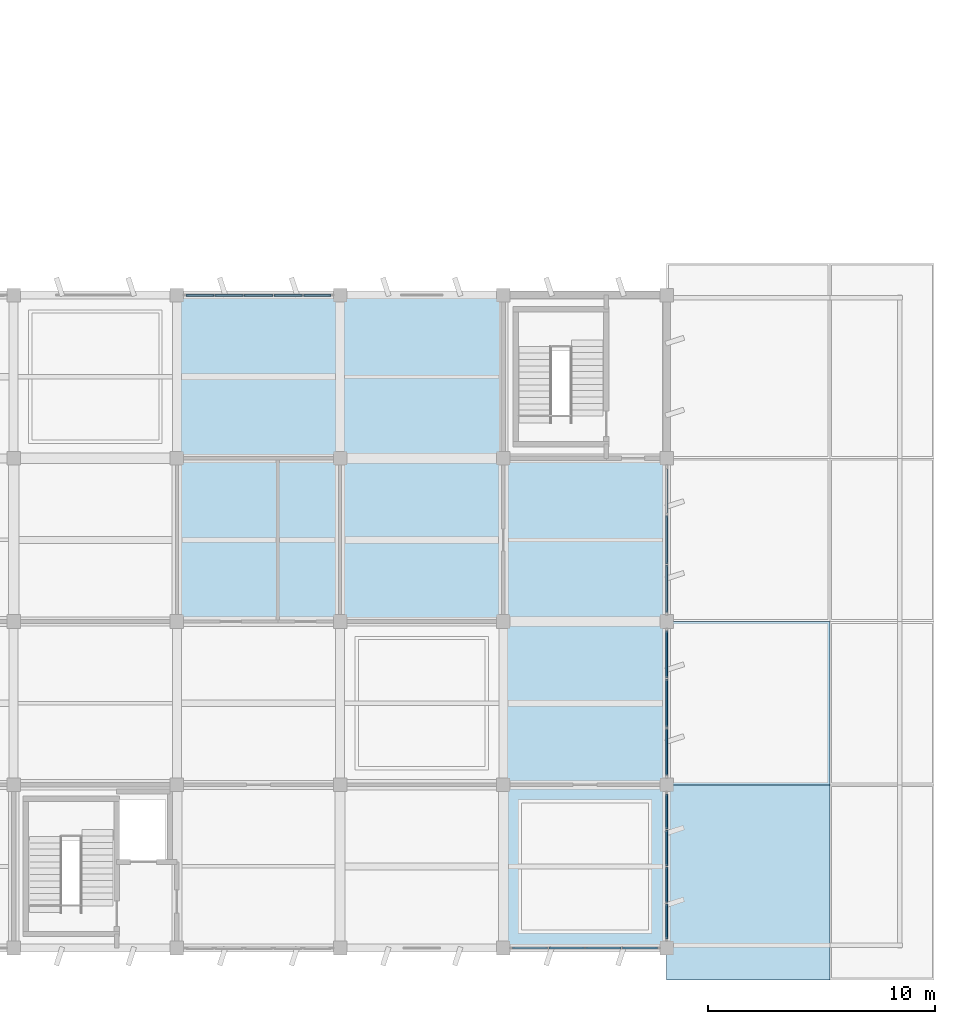
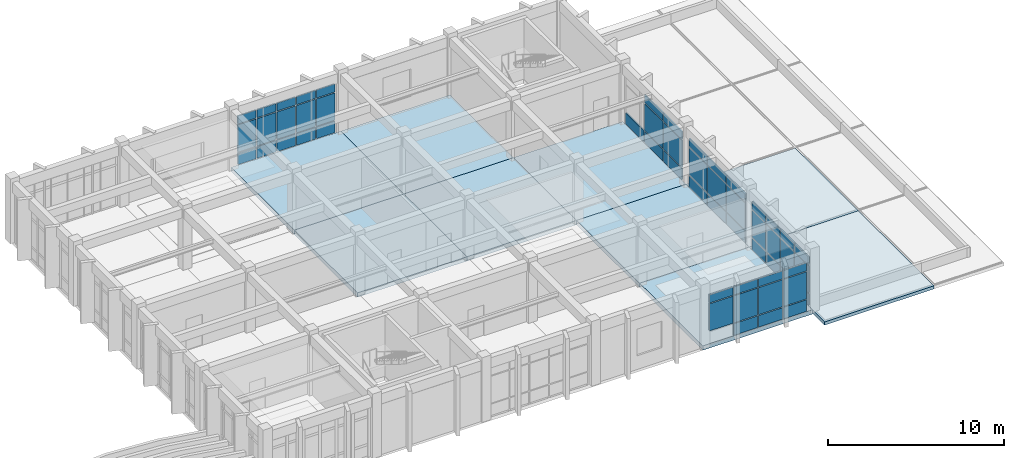
# One storey, part 50 of 81: 54 plates, 9 slabs, 5 elements without a shape of their own.
"""IFC4 building model written with IfcOpenShell, lengths in metres."""

from ifc_helpers import new_model, si_unit, direction, frame, origin, origin_2d, place, context, subcontext, project, spatial, polyline, rectangle, outline, extrude, material, layer, layer_set, type_object, element, aggregate, save


model = new_model("IFC4")

# Units and contexts
model_context = context("Model", 3, precision=1e-05, world=origin(), true_north=direction((0.0, 1.0)))
body_context = subcontext(model_context, "Body", "Model", "MODEL_VIEW")
ifc_project = project(units=[si_unit("LENGTHUNIT", "METRE"), si_unit("AREAUNIT", "SQUARE_METRE"), si_unit("VOLUMEUNIT", "CUBIC_METRE"), si_unit("PLANEANGLEUNIT", "RADIAN"), si_unit("MASSUNIT", "GRAM", prefix="KILO")], contexts=[model_context])

# Site, building, storey
site_placement = place(None, origin())
site = spatial("IfcSite", under=ifc_project, at=site_placement, CompositionType="ELEMENT")
building_placement = place(site_placement, origin())
building = spatial("IfcBuilding", under=site, at=building_placement, Name="Kavelor Marine Aquarium", CompositionType="ELEMENT")
storey_placement = place(building_placement, frame((0.0, 0.0, 4.679931640625)))
storey = spatial("IfcBuildingStorey", under=building, at=storey_placement, Name="L01", CompositionType="ELEMENT", Elevation=4.679931640625)

# Curtain wall, plates
ifc_material_1 = material(Name="Thermally Broken Aluminium and Low-E Glass", Category="aluminium")
ifc_layer_1 = layer(ifc_material_1, 0.26806640625)
ifc_layer_set_1 = layer_set([ifc_layer_1], Name="CW-SYS16")
curtain_wall_type_1 = type_object("IfcCurtainWallType", Name="CW-SYS16", PredefinedType="USERDEFINED", material=ifc_layer_set_1)
curtain_wall_1_placement = place(storey_placement, origin())
curtain_wall_1 = element("IfcCurtainWall", 1, at=curtain_wall_1_placement, inside=storey, type_object=curtain_wall_type_1, Name="cw:y:L01:21_00", ObjectType="Curtain Wall", PredefinedType="USERDEFINED")
ifc_material_2 = material(Name="Solar-Control Double Low-E Glazing", Category="glass")
ifc_layer_2 = layer(ifc_material_2, 0.080078125)
ifc_layer_set_2 = layer_set([ifc_layer_2], Name="CWP-28")
plate_type_1 = type_object("IfcPlateType", Name="CWP-28", PredefinedType="CURTAIN_PANEL", material=ifc_layer_set_2)
plate_1_placement = place(storey_placement, frame((154.39990234375, 3.9775390625, 0.06005859375), z_axis=(0.0, 0.0, 1.0), x_axis=(0.0, 1.0, 0.0)))
plate_1 = element("IfcPlate", 2, at=plate_1_placement, type_object=plate_type_1, Name="CW16 panel 1.1", PredefinedType="CURTAIN_PANEL", context=body_context, shape_type="SweptSolid", body=[
    extrude(rectangle(XDim=1.514892578125, YDim=0.080078125, at=origin_2d()), origin(), (0.0, 0.0, 1.0), 0.81005859375),
])
plate_2_placement = place(storey_placement, frame((154.39990234375, 3.9775390625, 0.93017578125), z_axis=(0.0, 0.0, 1.0), x_axis=(0.0, 1.0, 0.0)))
plate_2 = element("IfcPlate", 3, at=plate_2_placement, type_object=plate_type_1, Name="CW16 panel 1.2", PredefinedType="CURTAIN_PANEL", context=body_context, shape_type="SweptSolid", body=[
    extrude(rectangle(XDim=1.514892578125, YDim=0.080078125, at=origin_2d()), origin(), (0.0, 0.0, 1.0), 1.8798828125),
])
plate_3_placement = place(storey_placement, frame((154.39990234375, 3.9775390625, 2.8701171875), z_axis=(0.0, 0.0, 1.0), x_axis=(0.0, 1.0, 0.0)))
plate_3 = element("IfcPlate", 4, at=plate_3_placement, type_object=plate_type_1, Name="CW16 panel 1.3", PredefinedType="CURTAIN_PANEL", context=body_context, shape_type="SweptSolid", body=[
    extrude(rectangle(XDim=1.514892578125, YDim=0.080078125, at=origin_2d()), origin(), (0.0, 0.0, 1.0), 0.56005859375),
])
plate_4_placement = place(storey_placement, frame((154.39990234375, 5.586181640625, 0.06005859375), z_axis=(0.0, 0.0, 1.0), x_axis=(0.0, 1.0, 0.0)))
plate_4 = element("IfcPlate", 5, at=plate_4_placement, type_object=plate_type_1, Name="CW16 panel 2.1", PredefinedType="CURTAIN_PANEL", context=body_context, shape_type="SweptSolid", body=[
    extrude(rectangle(XDim=1.552490234375, YDim=0.080078125, at=origin_2d()), origin(), (0.0, 0.0, 1.0), 0.81005859375),
])
plate_5_placement = place(storey_placement, frame((154.39990234375, 5.586181640625, 0.93017578125), z_axis=(0.0, 0.0, 1.0), x_axis=(0.0, 1.0, 0.0)))
plate_5 = element("IfcPlate", 6, at=plate_5_placement, type_object=plate_type_1, Name="CW16 panel 2.2", PredefinedType="CURTAIN_PANEL", context=body_context, shape_type="SweptSolid", body=[
    extrude(rectangle(XDim=1.552490234375, YDim=0.080078125, at=origin_2d()), origin(), (0.0, 0.0, 1.0), 1.8798828125),
])
plate_6_placement = place(storey_placement, frame((154.39990234375, 5.586181640625, 2.8701171875), z_axis=(0.0, 0.0, 1.0), x_axis=(0.0, 1.0, 0.0)))
plate_6 = element("IfcPlate", 7, at=plate_6_placement, type_object=plate_type_1, Name="CW16 panel 2.3", PredefinedType="CURTAIN_PANEL", context=body_context, shape_type="SweptSolid", body=[
    extrude(rectangle(XDim=1.552490234375, YDim=0.080078125, at=origin_2d()), origin(), (0.0, 0.0, 1.0), 0.56005859375),
])
plate_7_placement = place(storey_placement, frame((154.39990234375, 7.2138671875, 0.06005859375), z_axis=(0.0, 0.0, 1.0), x_axis=(0.0, 1.0, 0.0)))
plate_7 = element("IfcPlate", 8, at=plate_7_placement, type_object=plate_type_1, Name="CW16 panel 3.1", PredefinedType="CURTAIN_PANEL", context=body_context, shape_type="SweptSolid", body=[
    extrude(rectangle(XDim=1.552490234375, YDim=0.080078125, at=origin_2d()), origin(), (0.0, 0.0, 1.0), 0.81005859375),
])
plate_8_placement = place(storey_placement, frame((154.39990234375, 7.2138671875, 0.93017578125), z_axis=(0.0, 0.0, 1.0), x_axis=(0.0, 1.0, 0.0)))
plate_8 = element("IfcPlate", 9, at=plate_8_placement, type_object=plate_type_1, Name="CW16 panel 3.2", PredefinedType="CURTAIN_PANEL", context=body_context, shape_type="SweptSolid", body=[
    extrude(rectangle(XDim=1.552490234375, YDim=0.080078125, at=origin_2d()), origin(), (0.0, 0.0, 1.0), 1.8798828125),
])
plate_9_placement = place(storey_placement, frame((154.39990234375, 7.2138671875, 2.8701171875), z_axis=(0.0, 0.0, 1.0), x_axis=(0.0, 1.0, 0.0)))
plate_9 = element("IfcPlate", 10, at=plate_9_placement, type_object=plate_type_1, Name="CW16 panel 3.3", PredefinedType="CURTAIN_PANEL", context=body_context, shape_type="SweptSolid", body=[
    extrude(rectangle(XDim=1.552490234375, YDim=0.080078125, at=origin_2d()), origin(), (0.0, 0.0, 1.0), 0.56005859375),
])
plate_10_placement = place(storey_placement, frame((154.39990234375, 8.822509765625, 0.06005859375), z_axis=(0.0, 0.0, 1.0), x_axis=(0.0, 1.0, 0.0)))
plate_10 = element("IfcPlate", 11, at=plate_10_placement, type_object=plate_type_1, Name="CW16 panel 4.1", PredefinedType="CURTAIN_PANEL", context=body_context, shape_type="SweptSolid", body=[
    extrude(rectangle(XDim=1.514892578125, YDim=0.080078125, at=origin_2d()), origin(), (0.0, 0.0, 1.0), 0.81005859375),
])
plate_11_placement = place(storey_placement, frame((154.39990234375, 8.822509765625, 0.93017578125), z_axis=(0.0, 0.0, 1.0), x_axis=(0.0, 1.0, 0.0)))
plate_11 = element("IfcPlate", 12, at=plate_11_placement, type_object=plate_type_1, Name="CW16 panel 4.2", PredefinedType="CURTAIN_PANEL", context=body_context, shape_type="SweptSolid", body=[
    extrude(rectangle(XDim=1.514892578125, YDim=0.080078125, at=origin_2d()), origin(), (0.0, 0.0, 1.0), 1.8798828125),
])
plate_12_placement = place(storey_placement, frame((154.39990234375, 8.822509765625, 2.8701171875), z_axis=(0.0, 0.0, 1.0), x_axis=(0.0, 1.0, 0.0)))
plate_12 = element("IfcPlate", 13, at=plate_12_placement, type_object=plate_type_1, Name="CW16 panel 4.3", PredefinedType="CURTAIN_PANEL", context=body_context, shape_type="SweptSolid", body=[
    extrude(rectangle(XDim=1.514892578125, YDim=0.080078125, at=origin_2d()), origin(), (0.0, 0.0, 1.0), 0.56005859375),
])
aggregate(curtain_wall_1, [plate_1, plate_2, plate_3, plate_4, plate_5, plate_6, plate_7, plate_8, plate_9, plate_10, plate_11, plate_12])

ifc_material_3 = material(Name="Thermally Broken Aluminium and Low-E Glass", Category="aluminium")
ifc_layer_3 = layer(ifc_material_3, 0.27587890625)
ifc_layer_set_3 = layer_set([ifc_layer_3], Name="CW-SYS17")
curtain_wall_type_2 = type_object("IfcCurtainWallType", Name="CW-SYS17", PredefinedType="USERDEFINED", material=ifc_layer_set_3)
curtain_wall_2_placement = place(storey_placement, origin())
curtain_wall_2 = element("IfcCurtainWall", 14, at=curtain_wall_2_placement, inside=storey, type_object=curtain_wall_type_2, Name="cw:y:L01:21_01", ObjectType="Curtain Wall", PredefinedType="USERDEFINED")
ifc_material_4 = material(Name="Solar-Control Double Low-E Glazing", Category="glass")
ifc_layer_4 = layer(ifc_material_4, 0.08203125)
ifc_layer_set_4 = layer_set([ifc_layer_4], Name="CWP-29")
plate_type_2 = type_object("IfcPlateType", Name="CWP-29", PredefinedType="CURTAIN_PANEL", material=ifc_layer_set_4)
plate_13_placement = place(storey_placement, frame((154.39990234375, 11.4462890625, 0.06005859375), z_axis=(0.0, 0.0, 1.0), x_axis=(0.0, 1.0, 0.0)))
plate_13 = element("IfcPlate", 15, at=plate_13_placement, type_object=plate_type_2, Name="CW17 panel 1.1", PredefinedType="CURTAIN_PANEL", context=body_context, shape_type="SweptSolid", body=[
    extrude(rectangle(XDim=2.072509765625, YDim=0.08203125, at=origin_2d()), origin(), (0.0, 0.0, 1.0), 0.81005859375),
])
plate_14_placement = place(storey_placement, frame((154.39990234375, 11.4462890625, 0.93017578125), z_axis=(0.0, 0.0, 1.0), x_axis=(0.0, 1.0, 0.0)))
plate_14 = element("IfcPlate", 16, at=plate_14_placement, type_object=plate_type_2, Name="CW17 panel 1.2", PredefinedType="CURTAIN_PANEL", context=body_context, shape_type="SweptSolid", body=[
    extrude(rectangle(XDim=2.072509765625, YDim=0.08203125, at=origin_2d()), origin(), (0.0, 0.0, 1.0), 1.89990234375),
])
plate_15_placement = place(storey_placement, frame((154.39990234375, 11.4462890625, 2.89013671875), z_axis=(0.0, 0.0, 1.0), x_axis=(0.0, 1.0, 0.0)))
plate_15 = element("IfcPlate", 17, at=plate_15_placement, type_object=plate_type_2, Name="CW17 panel 1.3", PredefinedType="CURTAIN_PANEL", context=body_context, shape_type="SweptSolid", body=[
    extrude(rectangle(XDim=2.072509765625, YDim=0.08203125, at=origin_2d()), origin(), (0.0, 0.0, 1.0), 0.56005859375),
])
plate_16_placement = place(storey_placement, frame((154.39990234375, 13.60009765625, 0.06005859375), z_axis=(0.0, 0.0, 1.0), x_axis=(0.0, 1.0, 0.0)))
plate_16 = element("IfcPlate", 18, at=plate_16_placement, type_object=plate_type_2, Name="CW17 panel 2.1", PredefinedType="CURTAIN_PANEL", context=body_context, shape_type="SweptSolid", body=[
    extrude(rectangle(XDim=2.10498046875, YDim=0.08203125, at=origin_2d()), origin(), (0.0, 0.0, 1.0), 0.81005859375),
])
plate_17_placement = place(storey_placement, frame((154.39990234375, 13.60009765625, 0.93017578125), z_axis=(0.0, 0.0, 1.0), x_axis=(0.0, 1.0, 0.0)))
plate_17 = element("IfcPlate", 19, at=plate_17_placement, type_object=plate_type_2, Name="CW17 panel 2.2", PredefinedType="CURTAIN_PANEL", context=body_context, shape_type="SweptSolid", body=[
    extrude(rectangle(XDim=2.10498046875, YDim=0.08203125, at=origin_2d()), origin(), (0.0, 0.0, 1.0), 1.89990234375),
])
plate_18_placement = place(storey_placement, frame((154.39990234375, 13.60009765625, 2.89013671875), z_axis=(0.0, 0.0, 1.0), x_axis=(0.0, 1.0, 0.0)))
plate_18 = element("IfcPlate", 20, at=plate_18_placement, type_object=plate_type_2, Name="CW17 panel 2.3", PredefinedType="CURTAIN_PANEL", context=body_context, shape_type="SweptSolid", body=[
    extrude(rectangle(XDim=2.10498046875, YDim=0.08203125, at=origin_2d()), origin(), (0.0, 0.0, 1.0), 0.56005859375),
])
plate_19_placement = place(storey_placement, frame((154.39990234375, 15.753662109375, 0.06005859375), z_axis=(0.0, 0.0, 1.0), x_axis=(0.0, 1.0, 0.0)))
plate_19 = element("IfcPlate", 21, at=plate_19_placement, type_object=plate_type_2, Name="CW17 panel 3.1", PredefinedType="CURTAIN_PANEL", context=body_context, shape_type="SweptSolid", body=[
    extrude(rectangle(XDim=2.072509765625, YDim=0.08203125, at=origin_2d()), origin(), (0.0, 0.0, 1.0), 0.81005859375),
])
plate_20_placement = place(storey_placement, frame((154.39990234375, 15.753662109375, 0.93017578125), z_axis=(0.0, 0.0, 1.0), x_axis=(0.0, 1.0, 0.0)))
plate_20 = element("IfcPlate", 22, at=plate_20_placement, type_object=plate_type_2, Name="CW17 panel 3.2", PredefinedType="CURTAIN_PANEL", context=body_context, shape_type="SweptSolid", body=[
    extrude(rectangle(XDim=2.072509765625, YDim=0.08203125, at=origin_2d()), origin(), (0.0, 0.0, 1.0), 1.89990234375),
])
plate_21_placement = place(storey_placement, frame((154.39990234375, 15.753662109375, 2.89013671875), z_axis=(0.0, 0.0, 1.0), x_axis=(0.0, 1.0, 0.0)))
plate_21 = element("IfcPlate", 23, at=plate_21_placement, type_object=plate_type_2, Name="CW17 panel 3.3", PredefinedType="CURTAIN_PANEL", context=body_context, shape_type="SweptSolid", body=[
    extrude(rectangle(XDim=2.072509765625, YDim=0.08203125, at=origin_2d()), origin(), (0.0, 0.0, 1.0), 0.56005859375),
])
aggregate(curtain_wall_2, [plate_13, plate_14, plate_15, plate_16, plate_17, plate_18, plate_19, plate_20, plate_21])

ifc_material_5 = material(Name="Thermally Broken Aluminium and Low-E Glass", Category="aluminium")
ifc_layer_5 = layer(ifc_material_5, 0.283935546875)
ifc_layer_set_5 = layer_set([ifc_layer_5], Name="CW-SYS18")
curtain_wall_type_3 = type_object("IfcCurtainWallType", Name="CW-SYS18", PredefinedType="USERDEFINED", material=ifc_layer_set_5)
curtain_wall_3_placement = place(storey_placement, origin())
curtain_wall_3 = element("IfcCurtainWall", 24, at=curtain_wall_3_placement, inside=storey, type_object=curtain_wall_type_3, Name="cw:y:L01:21_02", ObjectType="Curtain Wall", PredefinedType="USERDEFINED")
ifc_material_6 = material(Name="Solar-Control Double Low-E Glazing", Category="glass")
ifc_layer_6 = layer(ifc_material_6, 0.083984375)
ifc_layer_set_6 = layer_set([ifc_layer_6], Name="CWP-30")
plate_type_3 = type_object("IfcPlateType", Name="CWP-30", PredefinedType="CURTAIN_PANEL", material=ifc_layer_set_6)
plate_22_placement = place(storey_placement, frame((154.39990234375, 18.64501953125, 0.074951171875), z_axis=(0.0, 0.0, 1.0), x_axis=(0.0, 1.0, 0.0)))
plate_22 = element("IfcPlate", 25, at=plate_22_placement, type_object=plate_type_3, Name="CW18 panel 1.1", PredefinedType="CURTAIN_PANEL", context=body_context, shape_type="SweptSolid", body=[
    extrude(rectangle(XDim=2.080078125, YDim=0.083984375, at=origin_2d()), origin(), (0.0, 0.0, 1.0), 0.78759765625),
])
plate_23_placement = place(storey_placement, frame((154.39990234375, 18.64501953125, 0.9375), z_axis=(0.0, 0.0, 1.0), x_axis=(0.0, 1.0, 0.0)))
plate_23 = element("IfcPlate", 26, at=plate_23_placement, type_object=plate_type_3, Name="CW18 panel 1.2", PredefinedType="CURTAIN_PANEL", context=body_context, shape_type="SweptSolid", body=[
    extrude(rectangle(XDim=2.080078125, YDim=0.083984375, at=origin_2d()), origin(), (0.0, 0.0, 1.0), 1.864990234375),
])
plate_24_placement = place(storey_placement, frame((154.39990234375, 18.64501953125, 2.87744140625), z_axis=(0.0, 0.0, 1.0), x_axis=(0.0, 1.0, 0.0)))
plate_24 = element("IfcPlate", 27, at=plate_24_placement, type_object=plate_type_3, Name="CW18 panel 1.3", PredefinedType="CURTAIN_PANEL", context=body_context, shape_type="SweptSolid", body=[
    extrude(rectangle(XDim=2.080078125, YDim=0.083984375, at=origin_2d()), origin(), (0.0, 0.0, 1.0), 0.53759765625),
])
plate_25_placement = place(storey_placement, frame((154.39990234375, 20.800048828125, 0.074951171875), z_axis=(0.0, 0.0, 1.0), x_axis=(0.0, 1.0, 0.0)))
plate_25 = element("IfcPlate", 28, at=plate_25_placement, type_object=plate_type_3, Name="CW18 panel 2.1", PredefinedType="CURTAIN_PANEL", context=body_context, shape_type="SweptSolid", body=[
    extrude(rectangle(XDim=2.110107421875, YDim=0.083984375, at=origin_2d()), origin(), (0.0, 0.0, 1.0), 0.78759765625),
])
plate_26_placement = place(storey_placement, frame((154.39990234375, 20.800048828125, 0.9375), z_axis=(0.0, 0.0, 1.0), x_axis=(0.0, 1.0, 0.0)))
plate_26 = element("IfcPlate", 29, at=plate_26_placement, type_object=plate_type_3, Name="CW18 panel 2.2", PredefinedType="CURTAIN_PANEL", context=body_context, shape_type="SweptSolid", body=[
    extrude(rectangle(XDim=2.110107421875, YDim=0.083984375, at=origin_2d()), origin(), (0.0, 0.0, 1.0), 1.864990234375),
])
plate_27_placement = place(storey_placement, frame((154.39990234375, 20.800048828125, 2.87744140625), z_axis=(0.0, 0.0, 1.0), x_axis=(0.0, 1.0, 0.0)))
plate_27 = element("IfcPlate", 30, at=plate_27_placement, type_object=plate_type_3, Name="CW18 panel 2.3", PredefinedType="CURTAIN_PANEL", context=body_context, shape_type="SweptSolid", body=[
    extrude(rectangle(XDim=2.110107421875, YDim=0.083984375, at=origin_2d()), origin(), (0.0, 0.0, 1.0), 0.53759765625),
])
plate_28_placement = place(storey_placement, frame((154.39990234375, 22.955078125, 0.074951171875), z_axis=(0.0, 0.0, 1.0), x_axis=(0.0, 1.0, 0.0)))
plate_28 = element("IfcPlate", 31, at=plate_28_placement, type_object=plate_type_3, Name="CW18 panel 3.1", PredefinedType="CURTAIN_PANEL", context=body_context, shape_type="SweptSolid", body=[
    extrude(rectangle(XDim=2.080078125, YDim=0.083984375, at=origin_2d()), origin(), (0.0, 0.0, 1.0), 0.78759765625),
])
aggregate(curtain_wall_3, [plate_22, plate_23, plate_24, plate_25, plate_26, plate_27, plate_28])

ifc_material_7 = material(Name="Thermally Broken Aluminium and Low-E Glass", Category="aluminium")
ifc_layer_7 = layer(ifc_material_7, 0.2041015625)
ifc_layer_set_7 = layer_set([ifc_layer_7], Name="CW-SYS8")
curtain_wall_type_4 = type_object("IfcCurtainWallType", Name="CW-SYS8", PredefinedType="USERDEFINED", material=ifc_layer_set_7)
curtain_wall_4_placement = place(storey_placement, origin())
curtain_wall_4 = element("IfcCurtainWall", 32, at=curtain_wall_4_placement, inside=storey, type_object=curtain_wall_type_4, Name="cw:x:L01:18_04", ObjectType="Curtain Wall", PredefinedType="USERDEFINED")
ifc_material_8 = material(Name="Laminated Cast Acrylic Viewing Glazing", Category="glass")
ifc_layer_8 = layer(ifc_material_8, 0.087890625)
ifc_layer_set_8 = layer_set([ifc_layer_8], Name="CWP-32")
plate_type_4 = type_object("IfcPlateType", Name="CWP-32", PredefinedType="CURTAIN_PANEL", material=ifc_layer_set_8)
plate_29_placement = place(storey_placement, frame((133.812255859375, 31.60009765625, 0.06494140625), z_axis=(0.0, 0.0, 1.0), x_axis=(1.0, 0.0, 0.0)))
plate_29 = element("IfcPlate", 33, at=plate_29_placement, type_object=plate_type_4, Name="CW08 panel 1.1", PredefinedType="CURTAIN_PANEL", context=body_context, shape_type="SweptSolid", body=[
    extrude(rectangle(XDim=1.20458984375, YDim=0.087890625, at=origin_2d()), origin(), (0.0, 0.0, 1.0), 0.802490234375),
])
plate_30_placement = place(storey_placement, frame((133.812255859375, 31.60009765625, 0.9326171875), z_axis=(0.0, 0.0, 1.0), x_axis=(1.0, 0.0, 0.0)))
plate_30 = element("IfcPlate", 34, at=plate_30_placement, type_object=plate_type_4, Name="CW08 panel 1.2", PredefinedType="CURTAIN_PANEL", context=body_context, shape_type="SweptSolid", body=[
    extrude(rectangle(XDim=1.20458984375, YDim=0.087890625, at=origin_2d()), origin(), (0.0, 0.0, 1.0), 1.89501953125),
])
plate_31_placement = place(storey_placement, frame((133.812255859375, 31.60009765625, 2.892578125), z_axis=(0.0, 0.0, 1.0), x_axis=(1.0, 0.0, 0.0)))
plate_31 = element("IfcPlate", 35, at=plate_31_placement, type_object=plate_type_4, Name="CW08 panel 1.3", PredefinedType="CURTAIN_PANEL", context=body_context, shape_type="SweptSolid", body=[
    extrude(rectangle(XDim=1.20458984375, YDim=0.087890625, at=origin_2d()), origin(), (0.0, 0.0, 1.0), 0.552490234375),
])
plate_32_placement = place(storey_placement, frame((135.097900390625, 31.60009765625, 0.06494140625), z_axis=(0.0, 0.0, 1.0), x_axis=(1.0, 0.0, 0.0)))
plate_32 = element("IfcPlate", 36, at=plate_32_placement, type_object=plate_type_4, Name="CW08 panel 2.1", PredefinedType="CURTAIN_PANEL", context=body_context, shape_type="SweptSolid", body=[
    extrude(rectangle(XDim=1.237060546875, YDim=0.087890625, at=origin_2d()), origin(), (0.0, 0.0, 1.0), 0.802490234375),
])
plate_33_placement = place(storey_placement, frame((135.097900390625, 31.60009765625, 0.9326171875), z_axis=(0.0, 0.0, 1.0), x_axis=(1.0, 0.0, 0.0)))
plate_33 = element("IfcPlate", 37, at=plate_33_placement, type_object=plate_type_4, Name="CW08 panel 2.2", PredefinedType="CURTAIN_PANEL", context=body_context, shape_type="SweptSolid", body=[
    extrude(rectangle(XDim=1.237060546875, YDim=0.087890625, at=origin_2d()), origin(), (0.0, 0.0, 1.0), 1.89501953125),
])
plate_34_placement = place(storey_placement, frame((135.097900390625, 31.60009765625, 2.892578125), z_axis=(0.0, 0.0, 1.0), x_axis=(1.0, 0.0, 0.0)))
plate_34 = element("IfcPlate", 38, at=plate_34_placement, type_object=plate_type_4, Name="CW08 panel 2.3", PredefinedType="CURTAIN_PANEL", context=body_context, shape_type="SweptSolid", body=[
    extrude(rectangle(XDim=1.237060546875, YDim=0.087890625, at=origin_2d()), origin(), (0.0, 0.0, 1.0), 0.552490234375),
])
plate_35_placement = place(storey_placement, frame((136.39990234375, 31.60009765625, 0.06494140625), z_axis=(0.0, 0.0, 1.0), x_axis=(1.0, 0.0, 0.0)))
plate_35 = element("IfcPlate", 39, at=plate_35_placement, type_object=plate_type_4, Name="CW08 panel 3.1", PredefinedType="CURTAIN_PANEL", context=body_context, shape_type="SweptSolid", body=[
    extrude(rectangle(XDim=1.237060546875, YDim=0.087890625, at=origin_2d()), origin(), (0.0, 0.0, 1.0), 0.802490234375),
])
plate_36_placement = place(storey_placement, frame((136.39990234375, 31.60009765625, 0.9326171875), z_axis=(0.0, 0.0, 1.0), x_axis=(1.0, 0.0, 0.0)))
plate_36 = element("IfcPlate", 40, at=plate_36_placement, type_object=plate_type_4, Name="CW08 panel 3.2", PredefinedType="CURTAIN_PANEL", context=body_context, shape_type="SweptSolid", body=[
    extrude(rectangle(XDim=1.237060546875, YDim=0.087890625, at=origin_2d()), origin(), (0.0, 0.0, 1.0), 1.89501953125),
])
plate_37_placement = place(storey_placement, frame((136.39990234375, 31.60009765625, 2.892578125), z_axis=(0.0, 0.0, 1.0), x_axis=(1.0, 0.0, 0.0)))
plate_37 = element("IfcPlate", 41, at=plate_37_placement, type_object=plate_type_4, Name="CW08 panel 3.3", PredefinedType="CURTAIN_PANEL", context=body_context, shape_type="SweptSolid", body=[
    extrude(rectangle(XDim=1.237060546875, YDim=0.087890625, at=origin_2d()), origin(), (0.0, 0.0, 1.0), 0.552490234375),
])
plate_38_placement = place(storey_placement, frame((137.701904296875, 31.60009765625, 0.06494140625), z_axis=(0.0, 0.0, 1.0), x_axis=(1.0, 0.0, 0.0)))
plate_38 = element("IfcPlate", 42, at=plate_38_placement, type_object=plate_type_4, Name="CW08 panel 4.1", PredefinedType="CURTAIN_PANEL", context=body_context, shape_type="SweptSolid", body=[
    extrude(rectangle(XDim=1.237060546875, YDim=0.087890625, at=origin_2d()), origin(), (0.0, 0.0, 1.0), 0.802490234375),
])
plate_39_placement = place(storey_placement, frame((137.701904296875, 31.60009765625, 0.9326171875), z_axis=(0.0, 0.0, 1.0), x_axis=(1.0, 0.0, 0.0)))
plate_39 = element("IfcPlate", 43, at=plate_39_placement, type_object=plate_type_4, Name="CW08 panel 4.2", PredefinedType="CURTAIN_PANEL", context=body_context, shape_type="SweptSolid", body=[
    extrude(rectangle(XDim=1.237060546875, YDim=0.087890625, at=origin_2d()), origin(), (0.0, 0.0, 1.0), 1.89501953125),
])
plate_40_placement = place(storey_placement, frame((137.701904296875, 31.60009765625, 2.892578125), z_axis=(0.0, 0.0, 1.0), x_axis=(1.0, 0.0, 0.0)))
plate_40 = element("IfcPlate", 44, at=plate_40_placement, type_object=plate_type_4, Name="CW08 panel 4.3", PredefinedType="CURTAIN_PANEL", context=body_context, shape_type="SweptSolid", body=[
    extrude(rectangle(XDim=1.237060546875, YDim=0.087890625, at=origin_2d()), origin(), (0.0, 0.0, 1.0), 0.552490234375),
])
plate_41_placement = place(storey_placement, frame((138.98779296875, 31.60009765625, 0.06494140625), z_axis=(0.0, 0.0, 1.0), x_axis=(1.0, 0.0, 0.0)))
plate_41 = element("IfcPlate", 45, at=plate_41_placement, type_object=plate_type_4, Name="CW08 panel 5.1", PredefinedType="CURTAIN_PANEL", context=body_context, shape_type="SweptSolid", body=[
    extrude(rectangle(XDim=1.20458984375, YDim=0.087890625, at=origin_2d()), origin(), (0.0, 0.0, 1.0), 0.802490234375),
])
plate_42_placement = place(storey_placement, frame((138.98779296875, 31.60009765625, 0.9326171875), z_axis=(0.0, 0.0, 1.0), x_axis=(1.0, 0.0, 0.0)))
plate_42 = element("IfcPlate", 46, at=plate_42_placement, type_object=plate_type_4, Name="CW08 panel 5.2", PredefinedType="CURTAIN_PANEL", context=body_context, shape_type="SweptSolid", body=[
    extrude(rectangle(XDim=1.20458984375, YDim=0.087890625, at=origin_2d()), origin(), (0.0, 0.0, 1.0), 1.89501953125),
])
plate_43_placement = place(storey_placement, frame((138.98779296875, 31.60009765625, 2.892578125), z_axis=(0.0, 0.0, 1.0), x_axis=(1.0, 0.0, 0.0)))
plate_43 = element("IfcPlate", 47, at=plate_43_placement, type_object=plate_type_4, Name="CW08 panel 5.3", PredefinedType="CURTAIN_PANEL", context=body_context, shape_type="SweptSolid", body=[
    extrude(rectangle(XDim=1.20458984375, YDim=0.087890625, at=origin_2d()), origin(), (0.0, 0.0, 1.0), 0.552490234375),
])
aggregate(curtain_wall_4, [plate_29, plate_30, plate_31, plate_32, plate_33, plate_34, plate_35, plate_36, plate_37, plate_38, plate_39, plate_40, plate_41, plate_42, plate_43])

ifc_material_9 = material(Name="Thermally Broken Aluminium and Low-E Glass", Category="aluminium")
ifc_layer_9 = layer(ifc_material_9, 0.22802734375)
ifc_layer_set_9 = layer_set([ifc_layer_9], Name="CW-SYS11")
curtain_wall_type_5 = type_object("IfcCurtainWallType", Name="CW-SYS11", PredefinedType="USERDEFINED", material=ifc_layer_set_9)
curtain_wall_5_placement = place(storey_placement, origin())
curtain_wall_5 = element("IfcCurtainWall", 48, at=curtain_wall_5_placement, inside=storey, type_object=curtain_wall_type_5, Name="cw:x:L01:20_00", ObjectType="Curtain Wall", PredefinedType="USERDEFINED")
ifc_material_10 = material(Name="Laminated Cast Acrylic Viewing Glazing", Category="glass")
ifc_layer_10 = layer(ifc_material_10, 0.093994140625)
ifc_layer_set_10 = layer_set([ifc_layer_10], Name="CWP-35")
plate_type_5 = type_object("IfcPlateType", Name="CWP-35", PredefinedType="CURTAIN_PANEL", material=ifc_layer_set_10)
plate_44_placement = place(storey_placement, frame((153.22509765625, 2.800048828125, 0.06005859375), z_axis=(0.0, 0.0, 1.0), x_axis=(-1.0, 0.0, 0.0)))
plate_44 = element("IfcPlate", 49, at=plate_44_placement, type_object=plate_type_5, Name="CW11 panel 1.1", PredefinedType="CURTAIN_PANEL", context=body_context, shape_type="SweptSolid", body=[
    extrude(rectangle(XDim=1.530029296875, YDim=0.093994140625, at=origin_2d()), origin(), (0.0, 0.0, 1.0), 0.81005859375),
])
plate_45_placement = place(storey_placement, frame((153.22509765625, 2.800048828125, 0.93017578125), z_axis=(0.0, 0.0, 1.0), x_axis=(-1.0, 0.0, 0.0)))
plate_45 = element("IfcPlate", 50, at=plate_45_placement, type_object=plate_type_5, Name="CW11 panel 1.2", PredefinedType="CURTAIN_PANEL", context=body_context, shape_type="SweptSolid", body=[
    extrude(rectangle(XDim=1.530029296875, YDim=0.093994140625, at=origin_2d()), origin(), (0.0, 0.0, 1.0), 1.8798828125),
])
plate_46_placement = place(storey_placement, frame((153.22509765625, 2.800048828125, 2.8701171875), z_axis=(0.0, 0.0, 1.0), x_axis=(-1.0, 0.0, 0.0)))
plate_46 = element("IfcPlate", 51, at=plate_46_placement, type_object=plate_type_5, Name="CW11 panel 1.3", PredefinedType="CURTAIN_PANEL", context=body_context, shape_type="SweptSolid", body=[
    extrude(rectangle(XDim=1.530029296875, YDim=0.093994140625, at=origin_2d()), origin(), (0.0, 0.0, 1.0), 0.56005859375),
])
plate_47_placement = place(storey_placement, frame((151.61376953125, 2.800048828125, 0.06005859375), z_axis=(0.0, 0.0, 1.0), x_axis=(-1.0, 0.0, 0.0)))
plate_47 = element("IfcPlate", 52, at=plate_47_placement, type_object=plate_type_5, Name="CW11 panel 2.1", PredefinedType="CURTAIN_PANEL", context=body_context, shape_type="SweptSolid", body=[
    extrude(rectangle(XDim=1.5625, YDim=0.093994140625, at=origin_2d()), origin(), (0.0, 0.0, 1.0), 0.81005859375),
])
plate_48_placement = place(storey_placement, frame((151.61376953125, 2.800048828125, 0.93017578125), z_axis=(0.0, 0.0, 1.0), x_axis=(-1.0, 0.0, 0.0)))
plate_48 = element("IfcPlate", 53, at=plate_48_placement, type_object=plate_type_5, Name="CW11 panel 2.2", PredefinedType="CURTAIN_PANEL", context=body_context, shape_type="SweptSolid", body=[
    extrude(rectangle(XDim=1.5625, YDim=0.093994140625, at=origin_2d()), origin(), (0.0, 0.0, 1.0), 1.8798828125),
])
plate_49_placement = place(storey_placement, frame((151.61376953125, 2.800048828125, 2.8701171875), z_axis=(0.0, 0.0, 1.0), x_axis=(-1.0, 0.0, 0.0)))
plate_49 = element("IfcPlate", 54, at=plate_49_placement, type_object=plate_type_5, Name="CW11 panel 2.3", PredefinedType="CURTAIN_PANEL", context=body_context, shape_type="SweptSolid", body=[
    extrude(rectangle(XDim=1.5625, YDim=0.093994140625, at=origin_2d()), origin(), (0.0, 0.0, 1.0), 0.56005859375),
])
plate_50_placement = place(storey_placement, frame((149.986328125, 2.800048828125, 0.06005859375), z_axis=(0.0, 0.0, 1.0), x_axis=(-1.0, 0.0, 0.0)))
plate_50 = element("IfcPlate", 55, at=plate_50_placement, type_object=plate_type_5, Name="CW11 panel 3.1", PredefinedType="CURTAIN_PANEL", context=body_context, shape_type="SweptSolid", body=[
    extrude(rectangle(XDim=1.5625, YDim=0.093994140625, at=origin_2d()), origin(), (0.0, 0.0, 1.0), 0.81005859375),
])
plate_51_placement = place(storey_placement, frame((149.986328125, 2.800048828125, 0.93017578125), z_axis=(0.0, 0.0, 1.0), x_axis=(-1.0, 0.0, 0.0)))
plate_51 = element("IfcPlate", 56, at=plate_51_placement, type_object=plate_type_5, Name="CW11 panel 3.2", PredefinedType="CURTAIN_PANEL", context=body_context, shape_type="SweptSolid", body=[
    extrude(rectangle(XDim=1.5625, YDim=0.093994140625, at=origin_2d()), origin(), (0.0, 0.0, 1.0), 1.8798828125),
])
plate_52_placement = place(storey_placement, frame((149.986328125, 2.800048828125, 2.8701171875), z_axis=(0.0, 0.0, 1.0), x_axis=(-1.0, 0.0, 0.0)))
plate_52 = element("IfcPlate", 57, at=plate_52_placement, type_object=plate_type_5, Name="CW11 panel 3.3", PredefinedType="CURTAIN_PANEL", context=body_context, shape_type="SweptSolid", body=[
    extrude(rectangle(XDim=1.5625, YDim=0.093994140625, at=origin_2d()), origin(), (0.0, 0.0, 1.0), 0.56005859375),
])
plate_53_placement = place(storey_placement, frame((148.375, 2.800048828125, 0.93017578125), z_axis=(0.0, 0.0, 1.0), x_axis=(-1.0, 0.0, 0.0)))
plate_53 = element("IfcPlate", 58, at=plate_53_placement, type_object=plate_type_5, Name="CW11 panel 4.2", PredefinedType="CURTAIN_PANEL", context=body_context, shape_type="SweptSolid", body=[
    extrude(rectangle(XDim=1.530029296875, YDim=0.093994140625, at=origin_2d()), origin(), (0.0, 0.0, 1.0), 1.8798828125),
])
plate_54_placement = place(storey_placement, frame((148.375, 2.800048828125, 2.8701171875), z_axis=(0.0, 0.0, 1.0), x_axis=(-1.0, 0.0, 0.0)))
plate_54 = element("IfcPlate", 59, at=plate_54_placement, type_object=plate_type_5, Name="CW11 panel 4.3", PredefinedType="CURTAIN_PANEL", context=body_context, shape_type="SweptSolid", body=[
    extrude(rectangle(XDim=1.530029296875, YDim=0.093994140625, at=origin_2d()), origin(), (0.0, 0.0, 1.0), 0.56005859375),
])
aggregate(curtain_wall_5, [plate_44, plate_45, plate_46, plate_47, plate_48, plate_49, plate_50, plate_51, plate_52, plate_53, plate_54])

# Slabs
ifc_material_11 = material(Name="Concrete C40/50", Category="concrete")
ifc_layer_11 = layer(ifc_material_11, 0.300048828125)
ifc_layer_set_11 = layer_set([ifc_layer_11], Name="SL-FL1")
slab_type_1 = type_object("IfcSlabType", Name="SL-FL1", PredefinedType="FLOOR", material=ifc_layer_set_11)
slab_1_placement = place(storey_placement, frame((0.0, 0.0, -0.300048828125)))
element("IfcSlab", 60, at=slab_1_placement, inside=storey, type_object=slab_type_1, Name="slab:L01:18_02", PredefinedType="FLOOR", context=body_context, shape_type="SweptSolid", body=[
    extrude(outline(polyline([(132.800048828125, 17.199951171875), (140.0, 17.199951171875), (140.0, 24.39990234375), (132.800048828125, 24.39990234375), (132.800048828125, 17.199951171875)])), origin(), (0.0, 0.0, 1.0), 0.300048828125),
])
slab_2_placement = place(storey_placement, frame((0.0, 0.0, -0.300048828125)))
element("IfcSlab", 61, at=slab_2_placement, inside=storey, type_object=slab_type_1, Name="slab:L01:18_03", PredefinedType="FLOOR", context=body_context, shape_type="SweptSolid", body=[
    extrude(outline(polyline([(132.800048828125, 24.39990234375), (140.0, 24.39990234375), (140.0, 31.60009765625), (132.800048828125, 31.60009765625), (132.800048828125, 24.39990234375)])), origin(), (0.0, 0.0, 1.0), 0.300048828125),
])
slab_3_placement = place(storey_placement, frame((0.0, 0.0, -0.300048828125)))
element("IfcSlab", 62, at=slab_3_placement, inside=storey, type_object=slab_type_1, Name="slab:L01:19_02", PredefinedType="FLOOR", context=body_context, shape_type="SweptSolid", body=[
    extrude(outline(polyline([(140.0, 17.199951171875), (147.199951171875, 17.199951171875), (147.199951171875, 24.39990234375), (140.0, 24.39990234375), (140.0, 17.199951171875)])), origin(), (0.0, 0.0, 1.0), 0.300048828125),
])
slab_4_placement = place(storey_placement, frame((0.0, 0.0, -0.300048828125)))
element("IfcSlab", 63, at=slab_4_placement, inside=storey, type_object=slab_type_1, Name="slab:L01:19_03", PredefinedType="FLOOR", context=body_context, shape_type="SweptSolid", body=[
    extrude(outline(polyline([(140.0, 24.39990234375), (147.199951171875, 24.39990234375), (147.199951171875, 31.60009765625), (140.0, 31.60009765625), (140.0, 24.39990234375)])), origin(), (0.0, 0.0, 1.0), 0.300048828125),
])
slab_5_placement = place(storey_placement, frame((0.0, 0.0, -0.300048828125)))
element("IfcSlab", 64, at=slab_5_placement, inside=storey, type_object=slab_type_1, Name="slab:L01:20_00", PredefinedType="FLOOR", context=body_context, shape_type="SweptSolid", body=[
    extrude(outline(polyline([(147.199951171875, 2.800048828125), (154.39990234375, 2.800048828125), (154.39990234375, 10.0), (147.199951171875, 10.0), (147.199951171875, 2.800048828125)])), origin(), (0.0, 0.0, 1.0), 0.300048828125),
])
slab_6_placement = place(storey_placement, frame((0.0, 0.0, -0.300048828125)))
element("IfcSlab", 65, at=slab_6_placement, inside=storey, type_object=slab_type_1, Name="slab:L01:20_01", PredefinedType="FLOOR", context=body_context, shape_type="SweptSolid", body=[
    extrude(outline(polyline([(147.199951171875, 10.0), (154.39990234375, 10.0), (154.39990234375, 17.199951171875), (147.199951171875, 17.199951171875), (147.199951171875, 10.0)])), origin(), (0.0, 0.0, 1.0), 0.300048828125),
])
slab_7_placement = place(storey_placement, frame((0.0, 0.0, -0.300048828125)))
element("IfcSlab", 66, at=slab_7_placement, inside=storey, type_object=slab_type_1, Name="slab:L01:20_02", PredefinedType="FLOOR", context=body_context, shape_type="SweptSolid", body=[
    extrude(outline(polyline([(147.199951171875, 17.199951171875), (154.39990234375, 17.199951171875), (154.39990234375, 24.39990234375), (147.199951171875, 24.39990234375), (147.199951171875, 17.199951171875)])), origin(), (0.0, 0.0, 1.0), 0.300048828125),
])
ifc_material_12 = material(Name="Concrete C40/50", Category="concrete")
ifc_layer_12 = layer(ifc_material_12, 0.219970703125)
ifc_layer_set_12 = layer_set([ifc_layer_12], Name="SL-RF3")
slab_type_2 = type_object("IfcSlabType", Name="SL-RF3", PredefinedType="ROOF", material=ifc_layer_set_12)
slab_8_placement = place(storey_placement, frame((0.0, 0.0, -0.219970703125)))
element("IfcSlab", 67, at=slab_8_placement, inside=storey, type_object=slab_type_2, Name="roof:L01:21_00", PredefinedType="ROOF", context=body_context, shape_type="SweptSolid", body=[
    extrude(outline(polyline([(154.39990234375, 1.39990234375), (161.60009765625, 1.39990234375), (161.60009765625, 10.0), (154.39990234375, 10.0), (154.39990234375, 1.39990234375)])), origin(), (0.0, 0.0, 1.0), 0.219970703125),
])
slab_9_placement = place(storey_placement, frame((0.0, 0.0, -0.219970703125)))
element("IfcSlab", 68, at=slab_9_placement, inside=storey, type_object=slab_type_2, Name="roof:L01:21_01", PredefinedType="ROOF", context=body_context, shape_type="SweptSolid", body=[
    extrude(outline(polyline([(154.39990234375, 10.0), (161.60009765625, 10.0), (161.60009765625, 17.199951171875), (154.39990234375, 17.199951171875), (154.39990234375, 10.0)])), origin(), (0.0, 0.0, 1.0), 0.219970703125),
])

save(model, "model.ifc")
